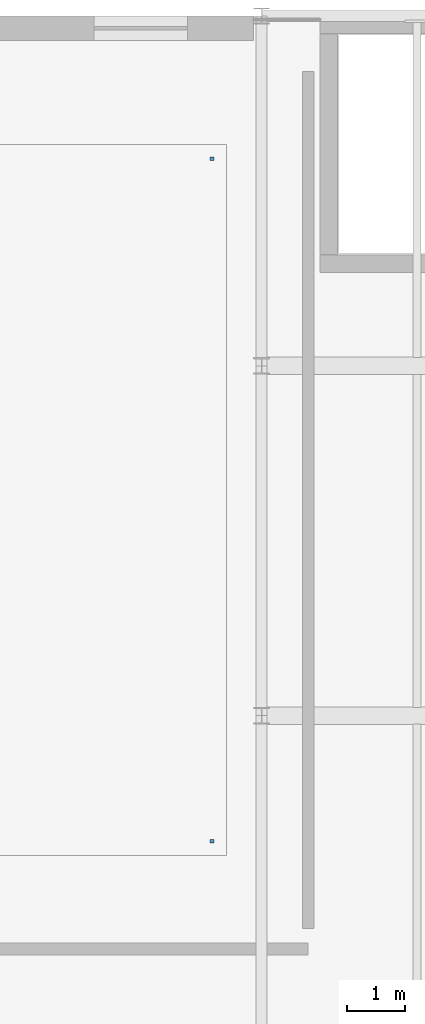
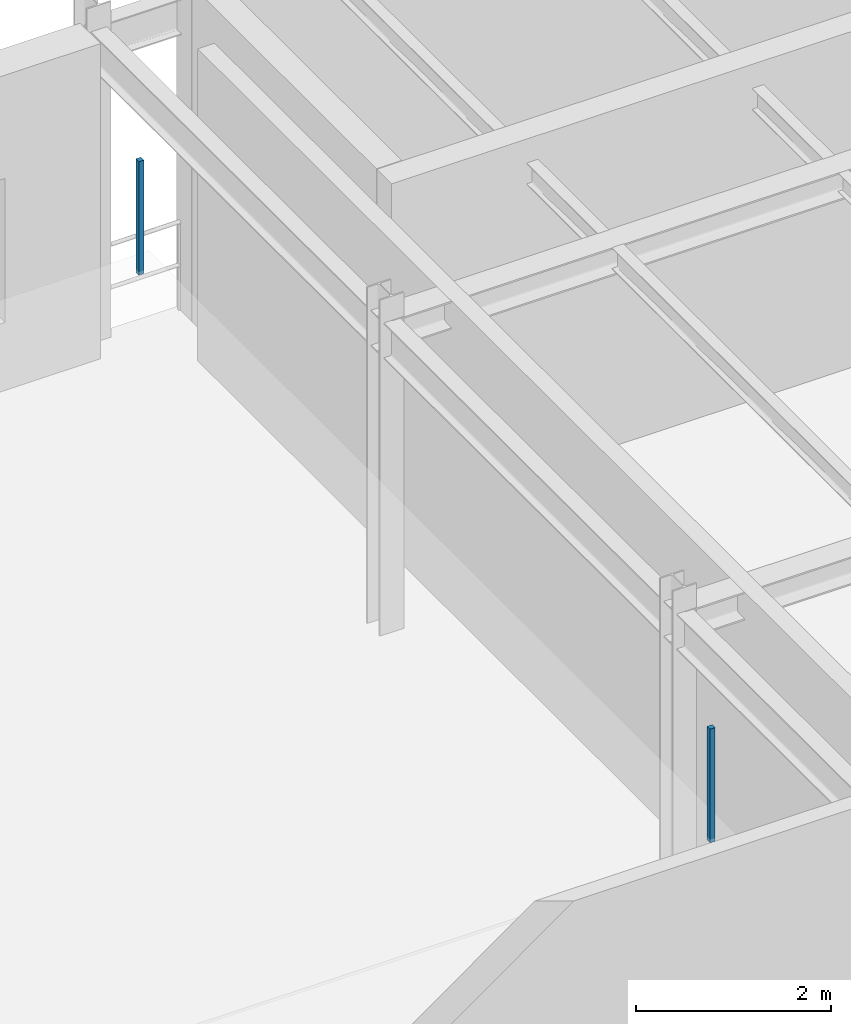
# One storey, part 107 of 124: 2 discrete accessories.
"""IFC4 building model written with IfcOpenShell, lengths in metres."""

from ifc_helpers import new_model, si_unit, direction, frame, origin, origin_2d, place, context, subcontext, project, spatial, rectangle, extrude, material, type_object, element, save


model = new_model("IFC4")

# Units and contexts
model_context = context("Model", 3, precision=1e-05, world=origin(), true_north=direction((0.0, 1.0)))
body_context = subcontext(model_context, "Body", "Model", "MODEL_VIEW")
ifc_project = project(units=[si_unit("LENGTHUNIT", "METRE"), si_unit("AREAUNIT", "SQUARE_METRE"), si_unit("VOLUMEUNIT", "CUBIC_METRE"), si_unit("PLANEANGLEUNIT", "RADIAN"), si_unit("MASSUNIT", "GRAM", prefix="KILO")], contexts=[model_context])

# Site, building, storey
site_placement = place(None, origin())
site = spatial("IfcSite", under=ifc_project, at=site_placement, CompositionType="ELEMENT")
building_placement = place(site_placement, origin())
building = spatial("IfcBuilding", under=site, at=building_placement, Name="Sundkrona Museum", CompositionType="ELEMENT")
storey_placement = place(building_placement, frame((0.0, 0.0, 17.60009765625)))
storey = spatial("IfcBuildingStorey", under=building, at=storey_placement, Name="L03", CompositionType="ELEMENT", Elevation=17.60009765625)

# Discrete accessories
ifc_material = material(Name="Stainless Steel EN 1.4404 Cleat", Category="steel")
discrete_accessory_type = type_object("IfcDiscreteAccessoryType", Name="BRK-FIN-01", PredefinedType="BRACKET", material=ifc_material)
for number, where, z_axis, x_axis, name in (
    (1, (135.14990234375, 99.85009765625, 2.550048828125), (0.0, 0.0, 1.0), (1.0, 0.0, 0.0), "L03 Molecular Conservation Laboratory Ceiling Hanger 2"),
    (2, (135.14990234375, 111.550048828125, 2.550048828125), (0.0, 0.0, 1.0), (1.0, 0.0, 0.0), "L03 Molecular Conservation Laboratory Ceiling Hanger 3"),
):
    element("IfcDiscreteAccessory", number, at=place(storey_placement, frame(where, z_axis=z_axis, x_axis=x_axis)), inside=storey, type_object=discrete_accessory_type, Name=name, PredefinedType="BRACKET", context=body_context, shape_type="SweptSolid", body=[
        extrude(rectangle(XDim=0.06005859375, YDim=0.06005859375, at=origin_2d()), origin(), (0.0, 0.0, 1.0), 1.419921875),
    ])

save(model, "model.ifc")
